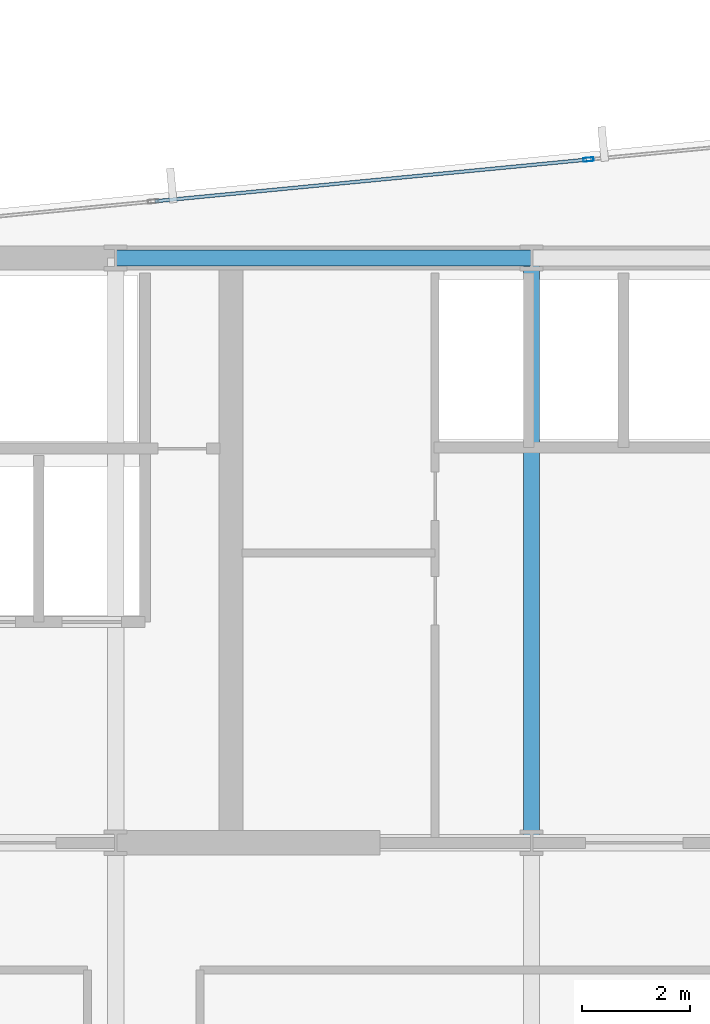
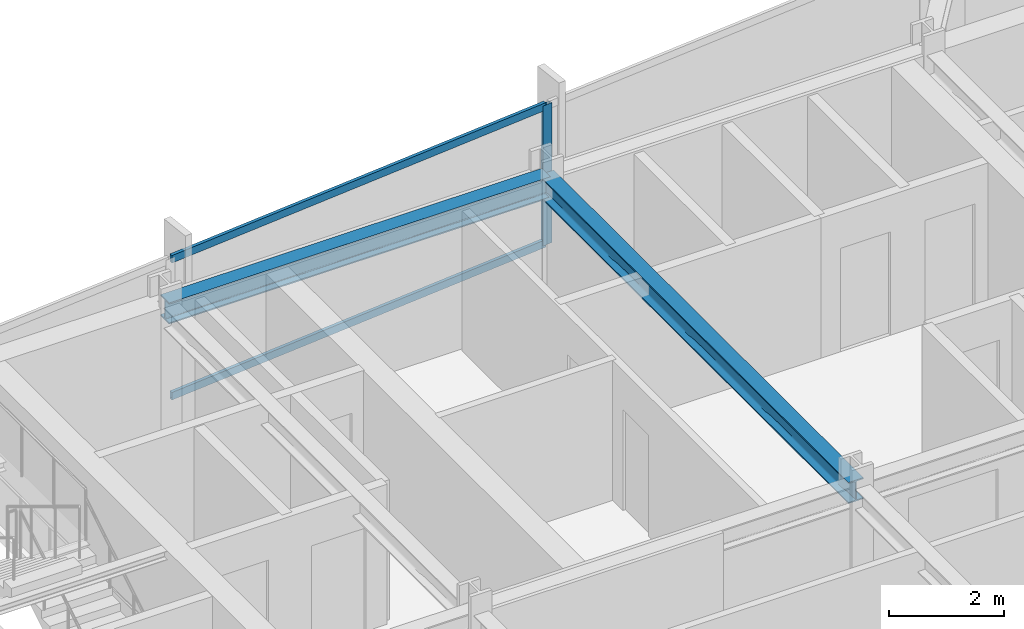
# One storey, part 19 of 32: 3 members, 2 beams, 1 element without a shape of its own.
"""IFC4 building model written with IfcOpenShell, lengths in metres."""

from ifc_helpers import new_model, si_unit, direction, frame, origin, origin_2d, place, context, subcontext, project, spatial, hollow_rectangle, i_section, extrude, material, material_profile, profile_set, type_object, element, aggregate, save


model = new_model("IFC4")

# Units and contexts
model_context = context("Model", 3, precision=1e-05, world=origin(), true_north=direction((0.0, 1.0)))
body_context = subcontext(model_context, "Body", "Model", "MODEL_VIEW")
ifc_project = project(units=[si_unit("LENGTHUNIT", "METRE"), si_unit("AREAUNIT", "SQUARE_METRE"), si_unit("VOLUMEUNIT", "CUBIC_METRE"), si_unit("PLANEANGLEUNIT", "RADIAN"), si_unit("MASSUNIT", "GRAM", prefix="KILO")], contexts=[model_context])

# Site, building, storey
site_placement = place(None, origin())
site = spatial("IfcSite", under=ifc_project, at=site_placement, CompositionType="ELEMENT")
building_placement = place(site_placement, origin())
building = spatial("IfcBuilding", under=site, at=building_placement, Name="Yelkora Congress Tower", CompositionType="ELEMENT")
storey_placement = place(building_placement, frame((0.0, 0.0, 133.89990234375)))
storey = spatial("IfcBuildingStorey", under=building, at=storey_placement, Name="L36", CompositionType="ELEMENT", Elevation=133.89990234375)

# Beams
ifc_material_1 = material(Name="Steel S355J2", Category="steel")
ifc_material_profile_1 = material_profile(ifc_material_1, i_section(OverallWidth=0.300048828125, OverallDepth=0.449951171875, WebThickness=0.013916015625, FlangeThickness=0.02587890625, FilletRadius=0.027099609375, at=origin_2d()), Name="HEB 450")
ifc_profile_set_1 = profile_set([ifc_material_profile_1], Name="Steel S355J2")
beam_type = type_object("IfcBeamType", Name="BM-GIRD-HEB450", PredefinedType="BEAM", material=ifc_profile_set_1)
beam_1_placement = place(storey_placement, frame((30.719970703125, 46.199951171875, 2.755126953125), z_axis=(1.0, 0.0, 0.0), x_axis=(0.0, 1.0, 0.0)))
element("IfcBeam", 1, at=beam_1_placement, inside=storey, type_object=beam_type, Name="L36 Core North Girder 3", PredefinedType="BEAM", context=body_context, shape_type="SweptSolid", body=[
    extrude(i_section(OverallWidth=0.300048828125, OverallDepth=0.449951171875, WebThickness=0.013916015625, FlangeThickness=0.02587890625, FilletRadius=0.027099609375, at=origin_2d()), origin(), (0.0, 0.0, 1.0), 7.679931640625),
])
beam_2_placement = place(storey_placement, frame((38.39990234375, 35.39990234375, 2.755126953125), z_axis=(0.0, 1.0, 0.0), x_axis=(-1.0, 0.0, 0.0)))
element("IfcBeam", 2, at=beam_2_placement, inside=storey, type_object=beam_type, Name="L36 Core Tie Girder MC-S3", PredefinedType="BEAM", context=body_context, shape_type="SweptSolid", body=[
    extrude(i_section(OverallWidth=0.300048828125, OverallDepth=0.449951171875, WebThickness=0.013916015625, FlangeThickness=0.02587890625, FilletRadius=0.027099609375, at=origin_2d()), origin(), (0.0, 0.0, 1.0), 10.800048828125),
])

# Curtain wall, members
ifc_material_2 = material(Name="Anodised aluminium and insulated glass", Category="aluminium")
curtain_wall_type = type_object("IfcCurtainWallType", Name="CW-SYS-B2", PredefinedType="NOTDEFINED", material=ifc_material_2)
curtain_wall_placement = place(storey_placement, origin())
curtain_wall = element("IfcCurtainWall", 3, at=curtain_wall_placement, inside=storey, type_object=curtain_wall_type, Name="L36 Unitised Curtain Wall 10 (3)", PredefinedType="NOTDEFINED")
ifc_material_3 = material(Name="Anodised aluminium 6063-T6", Category="aluminium")
ifc_material_profile_2 = material_profile(ifc_material_3, hollow_rectangle(XDim=0.070068359375, YDim=0.18994140625, WallThickness=0.00390625, at=origin_2d()), Name="ALU 70x190x4")
ifc_profile_set_2 = profile_set([ifc_material_profile_2], Name="Anodised aluminium 6063-T6")
member_type_1 = type_object("IfcMemberType", Name="MEM-ML-B2", PredefinedType="MULLION", material=ifc_profile_set_2)
member_1_placement = place(storey_placement, frame((39.451904296875, 48.018310546875, 0.0), z_axis=(0.0, 0.0, 1.0), x_axis=(-0.095844238468, 0.995396344153, 0.0)))
member_1 = element("IfcMember", 4, at=member_1_placement, type_object=member_type_1, Name="CW-B2 mullion 3", PredefinedType="MULLION", context=body_context, shape_type="SweptSolid", body=[
    extrude(hollow_rectangle(XDim=0.070068359375, YDim=0.18994140625, WallThickness=0.00390625, at=origin_2d()), origin(), (0.0, 0.0, 1.0), 2.97998046875),
])
ifc_material_profile_3 = material_profile(ifc_material_3, hollow_rectangle(XDim=0.06494140625, YDim=0.159912109375, WallThickness=0.00390625, at=origin_2d()), Name="ALU 65x160x4")
ifc_profile_set_3 = profile_set([ifc_material_profile_3], Name="Anodised aluminium 6063-T6")
member_type_2 = type_object("IfcMemberType", Name="MEM-TR-B2", PredefinedType="USERDEFINED", material=ifc_profile_set_3)
member_2_placement = place(storey_placement, frame((31.44677734375, 47.24755859375, 0.03271484375), z_axis=(0.995397793901, 0.09582918082, 0.0), x_axis=(-0.09582918082, 0.995397793901, 0.0)))
member_2 = element("IfcMember", 5, at=member_2_placement, type_object=member_type_2, Name="CW-B2 transom 2.1", ObjectType="TRANSOM", PredefinedType="USERDEFINED", context=body_context, shape_type="SweptSolid", body=[
    extrude(hollow_rectangle(XDim=0.06494140625, YDim=0.159912109375, WallThickness=0.00390625, at=origin_2d()), origin(), (0.0, 0.0, 1.0), 8.00732421875),
])
member_3_placement = place(storey_placement, frame((31.44677734375, 47.24755859375, 2.947509765625), z_axis=(0.995397793901, 0.09582918082, 0.0), x_axis=(-0.09582918082, 0.995397793901, 0.0)))
member_3 = element("IfcMember", 6, at=member_3_placement, type_object=member_type_2, Name="CW-B2 transom 2.2", ObjectType="TRANSOM", PredefinedType="USERDEFINED", context=body_context, shape_type="SweptSolid", body=[
    extrude(hollow_rectangle(XDim=0.06494140625, YDim=0.159912109375, WallThickness=0.00390625, at=origin_2d()), origin(), (0.0, 0.0, 1.0), 8.00732421875),
])
aggregate(curtain_wall, [member_1, member_2, member_3])

save(model, "model.ifc")
